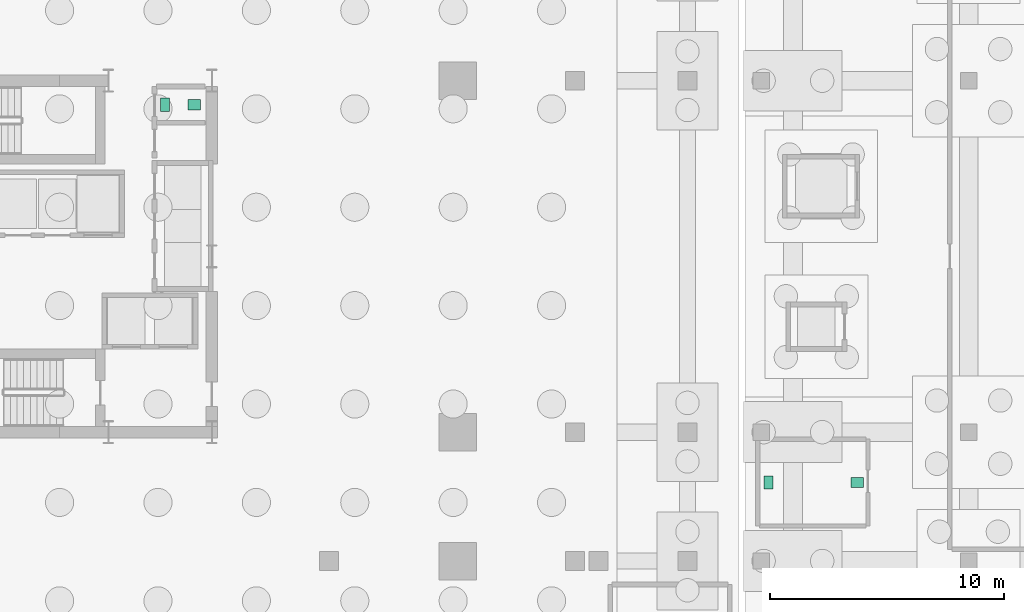
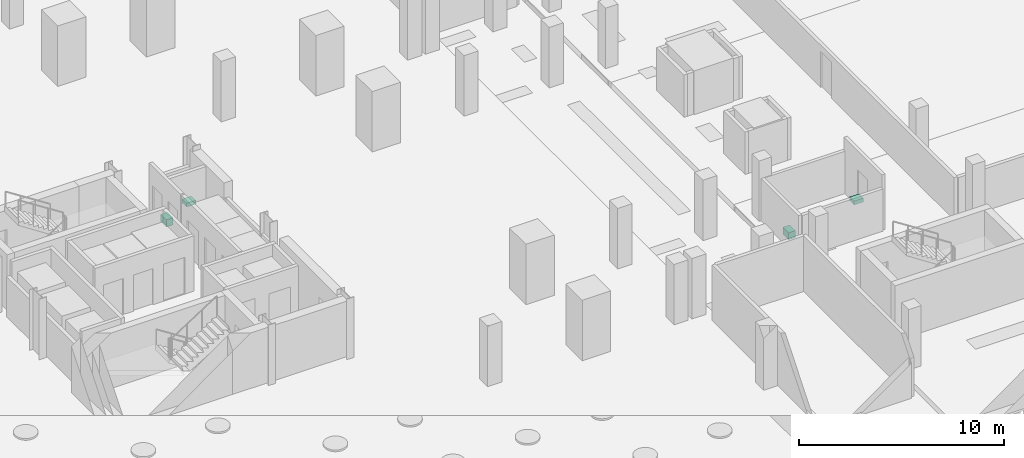
# One storey, part 12 of 13: 4 sanitary terminals.
"""IFC4 building model written with IfcOpenShell, lengths in metres."""

from ifc_helpers import new_model, si_unit, direction, frame, origin, origin_2d, place, context, subcontext, project, spatial, rectangle, extrude, material, type_object, element, save


model = new_model("IFC4")

# Units and contexts
model_context = context("Model", 3, precision=1e-05, world=origin(), true_north=direction((0.0, 1.0)))
body_context = subcontext(model_context, "Body", "Model", "MODEL_VIEW")
ifc_project = project(units=[si_unit("LENGTHUNIT", "METRE"), si_unit("AREAUNIT", "SQUARE_METRE"), si_unit("VOLUMEUNIT", "CUBIC_METRE"), si_unit("PLANEANGLEUNIT", "RADIAN"), si_unit("MASSUNIT", "GRAM", prefix="KILO")], contexts=[model_context])

# Site, building, storey
site_placement = place(None, origin())
site = spatial("IfcSite", under=ifc_project, at=site_placement, CompositionType="ELEMENT")
building_placement = place(site_placement, origin())
building = spatial("IfcBuilding", under=site, at=building_placement, Name="Barlavira Tower and Art Museum", CompositionType="ELEMENT")
storey_placement = place(building_placement, frame((0.0, 0.0, -7.199951171875)))
storey = spatial("IfcBuildingStorey", under=building, at=storey_placement, Name="B02", CompositionType="ELEMENT", Elevation=-7.199951171875)

# Sanitary terminals
ifc_material = material(Name="Vitreous glazed ceramic", Category="ceramic")
sanitary_terminal_type_1 = type_object("IfcSanitaryTerminalType", Name="Countertop Ceramic Wash Hand Basin", PredefinedType="WASHHANDBASIN", material=ifc_material)
for number, where, z_axis, x_axis, name in (
    (1, (5.75, 6.47509765625, 0.73974609375), (0.0, 0.0, 1.0), (1.0, 0.0, 0.0), "B02-C-WC1 Wash Basin"),
    (2, (34.050048828125, -9.64990234375, 0.73974609375), (0.0, 0.0, 1.0), (1.0, 0.0, 0.0), "B02-B-AWC Wash Basin"),
):
    element("IfcSanitaryTerminal", number, at=place(storey_placement, frame(where, z_axis=z_axis, x_axis=x_axis)), inside=storey, type_object=sanitary_terminal_type_1, Name=name, PredefinedType="WASHHANDBASIN", context=body_context, shape_type="SweptSolid", body=[
        extrude(rectangle(XDim=0.52001953125, YDim=0.43994140625, at=origin_2d()), origin(), (0.0, 0.0, 1.0), 0.219970703125),
    ])
sanitary_terminal_type_2 = type_object("IfcSanitaryTerminalType", Name="Wall-Hung Dual-Flush Vitreous WC Pan", PredefinedType="TOILETPAN", material=ifc_material)
for number, where, z_axis, x_axis, name in (
    (3, (4.5, 6.47509765625, 0.0), (0.0, 0.0, 1.0), (1.0, 0.0, 0.0), "B02-C-WC1 WC Pan"),
    (4, (30.25, -9.64990234375, 0.0), (0.0, 0.0, 1.0), (1.0, 0.0, 0.0), "B02-B-AWC WC Pan"),
):
    element("IfcSanitaryTerminal", number, at=place(storey_placement, frame(where, z_axis=z_axis, x_axis=x_axis)), inside=storey, type_object=sanitary_terminal_type_2, Name=name, PredefinedType="TOILETPAN", context=body_context, shape_type="SweptSolid", body=[
        extrude(rectangle(XDim=0.3798828125, YDim=0.56005859375, at=origin_2d()), origin(), (0.0, 0.0, 1.0), 0.419921875),
    ])

save(model, "model.ifc")
